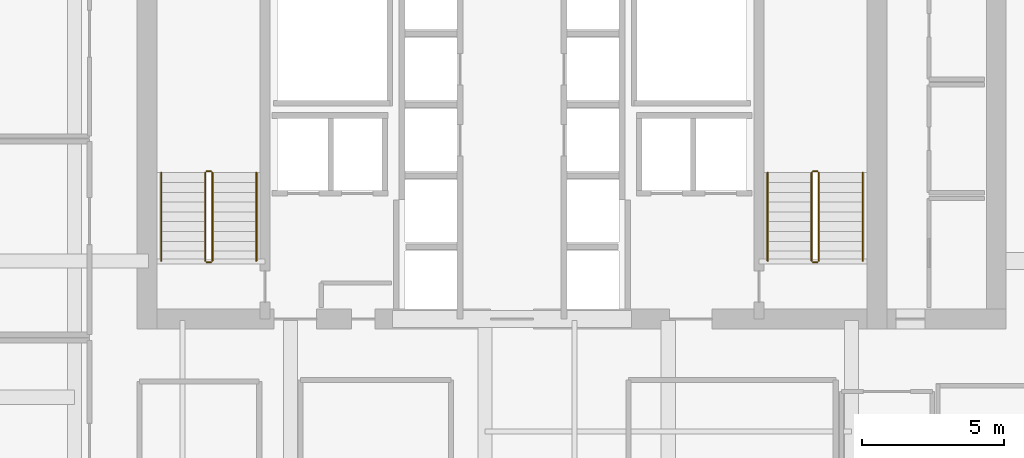
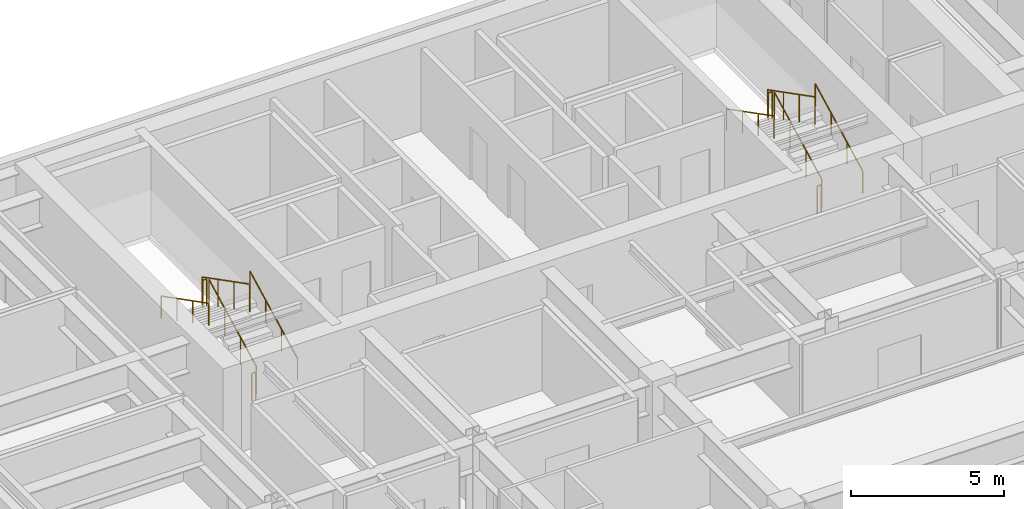
# One storey, part 15 of 15: 12 railings.
"""IFC4 building model written with IfcOpenShell, lengths in metres."""

from ifc_helpers import new_model, si_unit, direction, frame, origin, origin_2d, place, context, subcontext, project, spatial, circle, extrude, material, type_object, element, save


model = new_model("IFC4")

# Units and contexts
model_context = context("Model", 3, precision=1e-05, world=origin(), true_north=direction((0.0, 1.0)))
body_context = subcontext(model_context, "Body", "Model", "MODEL_VIEW")
ifc_project = project(units=[si_unit("LENGTHUNIT", "METRE"), si_unit("AREAUNIT", "SQUARE_METRE"), si_unit("VOLUMEUNIT", "CUBIC_METRE"), si_unit("PLANEANGLEUNIT", "RADIAN"), si_unit("MASSUNIT", "GRAM", prefix="KILO")], contexts=[model_context])

# Site, building, storey
site_placement = place(None, origin())
site = spatial("IfcSite", under=ifc_project, at=site_placement, CompositionType="ELEMENT")
building_placement = place(site_placement, origin())
building = spatial("IfcBuilding", under=site, at=building_placement, Name="Tolvann Quenvar Hotel", CompositionType="ELEMENT")
storey_placement = place(building_placement, frame((0.0, 0.0, 143.5)))
storey = spatial("IfcBuildingStorey", under=building, at=storey_placement, Name="L37", CompositionType="ELEMENT", Elevation=143.5)

# Railings
ifc_material = material(Name="Brushed 316 stainless steel balustrade and handrail", Category="steel")
railing_type_1 = type_object("IfcRailingType", Name="GUARDRAIL", PredefinedType="GUARDRAIL", material=ifc_material)
railing_1_placement = place(storey_placement, frame((12.449951171875, 34.0, 0.177490234375)))
element("IfcRailing", 1, at=railing_1_placement, inside=storey, type_object=railing_type_1, Name="L37 ST-C1 stair guard 1", PredefinedType="GUARDRAIL", context=body_context, shape_type="SweptSolid", body=[
    extrude(circle(Radius=0.02392578125, at=origin_2d()), frame((0.0, 0.0, 1.09619140625), z_axis=(0.0, 0.889221982265, 0.45747597342), x_axis=(-1.0, 0.0, 0.0)), (0.0, 0.0, 1.0), 3.49169921875),
    extrude(circle(Radius=0.02099609375, at=origin_2d()), origin(), (0.0, 0.0, 1.0), 1.072021484375),
    extrude(circle(Radius=0.02099609375, at=origin_2d()), frame((0.0, 1.034912109375, 0.532470703125)), (0.0, 0.0, 1.0), 1.072021484375),
    extrude(circle(Radius=0.02099609375, at=origin_2d()), frame((0.0, 2.070068359375, 1.06494140625)), (0.0, 0.0, 1.0), 1.072021484375),
    extrude(circle(Radius=0.02099609375, at=origin_2d()), frame((0.0, 3.10498046875, 1.597412109375)), (0.0, 0.0, 1.0), 1.072021484375),
])
railing_2_placement = place(storey_placement, frame((12.39990234375, 37.155029296875, 1.77490234375)))
element("IfcRailing", 2, at=railing_2_placement, inside=storey, type_object=railing_type_1, Name="L37 ST-C1 stair guard 2", PredefinedType="GUARDRAIL", context=body_context, shape_type="SweptSolid", body=[
    extrude(circle(Radius=0.02392578125, at=origin_2d()), frame((0.0, 0.0, 1.09619140625), z_axis=(-1.0, 0.0, 0.0), x_axis=(0.0, -1.0, 0.0)), (0.0, 0.0, 1.0), 0.14990234375),
    extrude(circle(Radius=0.02099609375, at=origin_2d()), origin(), (0.0, 0.0, 1.0), 1.072021484375),
    extrude(circle(Radius=0.02099609375, at=origin_2d()), frame((-0.14990234375, 0.0, 0.0)), (0.0, 0.0, 1.0), 1.072021484375),
])
railing_3_placement = place(storey_placement, frame((12.199951171875, 37.10498046875, 1.952392578125)))
element("IfcRailing", 3, at=railing_3_placement, inside=storey, type_object=railing_type_1, Name="L37 ST-C1 stair guard 3", PredefinedType="GUARDRAIL", context=body_context, shape_type="SweptSolid", body=[
    extrude(circle(Radius=0.02392578125, at=origin_2d()), frame((0.0, 0.0, 1.09619140625), z_axis=(0.0, -0.88919353882, 0.457531256332), x_axis=(1.0, 0.0, 0.0)), (0.0, 0.0, 1.0), 3.491943359375),
    extrude(circle(Radius=0.02099609375, at=origin_2d()), origin(), (0.0, 0.0, 1.0), 1.072021484375),
    extrude(circle(Radius=0.02099609375, at=origin_2d()), frame((0.0, -1.034912109375, 0.532470703125)), (0.0, 0.0, 1.0), 1.072021484375),
    extrude(circle(Radius=0.02099609375, at=origin_2d()), frame((0.0, -2.070068359375, 1.065185546875)), (0.0, 0.0, 1.0), 1.072021484375),
    extrude(circle(Radius=0.02099609375, at=origin_2d()), frame((0.0, -3.10498046875, 1.59765625)), (0.0, 0.0, 1.0), 1.072021484375),
])
railing_4_placement = place(storey_placement, frame((12.39990234375, 33.949951171875, 0.0)))
element("IfcRailing", 4, at=railing_4_placement, inside=storey, type_object=railing_type_1, Name="L37 ST-C1 stair guard 4", PredefinedType="GUARDRAIL", context=body_context, shape_type="SweptSolid", body=[
    extrude(circle(Radius=0.02392578125, at=origin_2d()), frame((0.0, 0.0, 1.09619140625), z_axis=(-1.0, 0.0, 0.0), x_axis=(0.0, -1.0, 0.0)), (0.0, 0.0, 1.0), 0.14990234375),
    extrude(circle(Radius=0.02099609375, at=origin_2d()), origin(), (0.0, 0.0, 1.0), 1.072021484375),
    extrude(circle(Radius=0.02099609375, at=origin_2d()), frame((-0.14990234375, 0.0, 0.0)), (0.0, 0.0, 1.0), 1.072021484375),
])
railing_5_placement = place(storey_placement, frame((33.800048828125, 34.0, 0.177490234375)))
element("IfcRailing", 5, at=railing_5_placement, inside=storey, type_object=railing_type_1, Name="L37 ST-C2 stair guard 1", PredefinedType="GUARDRAIL", context=body_context, shape_type="SweptSolid", body=[
    extrude(circle(Radius=0.02392578125, at=origin_2d()), frame((0.0, 0.0, 1.09619140625), z_axis=(0.0, 0.889221982265, 0.45747597342), x_axis=(-1.0, 0.0, 0.0)), (0.0, 0.0, 1.0), 3.49169921875),
    extrude(circle(Radius=0.02099609375, at=origin_2d()), origin(), (0.0, 0.0, 1.0), 1.072021484375),
    extrude(circle(Radius=0.02099609375, at=origin_2d()), frame((0.0, 1.034912109375, 0.532470703125)), (0.0, 0.0, 1.0), 1.072021484375),
    extrude(circle(Radius=0.02099609375, at=origin_2d()), frame((0.0, 2.070068359375, 1.06494140625)), (0.0, 0.0, 1.0), 1.072021484375),
    extrude(circle(Radius=0.02099609375, at=origin_2d()), frame((0.0, 3.10498046875, 1.597412109375)), (0.0, 0.0, 1.0), 1.072021484375),
])
railing_6_placement = place(storey_placement, frame((33.75, 37.155029296875, 1.77490234375)))
element("IfcRailing", 6, at=railing_6_placement, inside=storey, type_object=railing_type_1, Name="L37 ST-C2 stair guard 2", PredefinedType="GUARDRAIL", context=body_context, shape_type="SweptSolid", body=[
    extrude(circle(Radius=0.02392578125, at=origin_2d()), frame((0.0, 0.0, 1.09619140625), z_axis=(-1.0, 0.0, 0.0), x_axis=(0.0, -1.0, 0.0)), (0.0, 0.0, 1.0), 0.14990234375),
    extrude(circle(Radius=0.02099609375, at=origin_2d()), origin(), (0.0, 0.0, 1.0), 1.072021484375),
    extrude(circle(Radius=0.02099609375, at=origin_2d()), frame((-0.14990234375, 0.0, 0.0)), (0.0, 0.0, 1.0), 1.072021484375),
])
railing_7_placement = place(storey_placement, frame((33.550048828125, 37.10498046875, 1.952392578125)))
element("IfcRailing", 7, at=railing_7_placement, inside=storey, type_object=railing_type_1, Name="L37 ST-C2 stair guard 3", PredefinedType="GUARDRAIL", context=body_context, shape_type="SweptSolid", body=[
    extrude(circle(Radius=0.02392578125, at=origin_2d()), frame((0.0, 0.0, 1.09619140625), z_axis=(0.0, -0.88919353882, 0.457531256332), x_axis=(1.0, 0.0, 0.0)), (0.0, 0.0, 1.0), 3.491943359375),
    extrude(circle(Radius=0.02099609375, at=origin_2d()), origin(), (0.0, 0.0, 1.0), 1.072021484375),
    extrude(circle(Radius=0.02099609375, at=origin_2d()), frame((0.0, -1.034912109375, 0.532470703125)), (0.0, 0.0, 1.0), 1.072021484375),
    extrude(circle(Radius=0.02099609375, at=origin_2d()), frame((0.0, -2.070068359375, 1.065185546875)), (0.0, 0.0, 1.0), 1.072021484375),
    extrude(circle(Radius=0.02099609375, at=origin_2d()), frame((0.0, -3.10498046875, 1.59765625)), (0.0, 0.0, 1.0), 1.072021484375),
])
railing_8_placement = place(storey_placement, frame((33.75, 33.949951171875, 0.0)))
element("IfcRailing", 8, at=railing_8_placement, inside=storey, type_object=railing_type_1, Name="L37 ST-C2 stair guard 4", PredefinedType="GUARDRAIL", context=body_context, shape_type="SweptSolid", body=[
    extrude(circle(Radius=0.02392578125, at=origin_2d()), frame((0.0, 0.0, 1.09619140625), z_axis=(-1.0, 0.0, 0.0), x_axis=(0.0, -1.0, 0.0)), (0.0, 0.0, 1.0), 0.14990234375),
    extrude(circle(Radius=0.02099609375, at=origin_2d()), origin(), (0.0, 0.0, 1.0), 1.072021484375),
    extrude(circle(Radius=0.02099609375, at=origin_2d()), frame((-0.14990234375, 0.0, 0.0)), (0.0, 0.0, 1.0), 1.072021484375),
])
railing_type_2 = type_object("IfcRailingType", Name="HANDRAIL", PredefinedType="HANDRAIL", material=ifc_material)
railing_9_placement = place(storey_placement, frame((14.0, 34.0, 0.177490234375)))
element("IfcRailing", 9, at=railing_9_placement, inside=storey, type_object=railing_type_2, Name="L37 ST-C1 stair handrail 1", PredefinedType="HANDRAIL", context=body_context, shape_type="SweptSolid", body=[
    extrude(circle(Radius=0.02392578125, at=origin_2d()), frame((0.0, 0.0, 0.8759765625), z_axis=(0.0, 0.889221982265, 0.45747597342), x_axis=(-1.0, 0.0, 0.0)), (0.0, 0.0, 1.0), 3.49169921875),
    extrude(circle(Radius=0.02099609375, at=origin_2d()), origin(), (0.0, 0.0, 1.0), 0.851806640625),
    extrude(circle(Radius=0.02099609375, at=origin_2d()), frame((0.0, 1.034912109375, 0.532470703125)), (0.0, 0.0, 1.0), 0.851806640625),
    extrude(circle(Radius=0.02099609375, at=origin_2d()), frame((0.0, 2.070068359375, 1.06494140625)), (0.0, 0.0, 1.0), 0.851806640625),
    extrude(circle(Radius=0.02099609375, at=origin_2d()), frame((0.0, 3.10498046875, 1.597412109375)), (0.0, 0.0, 1.0), 0.851806640625),
])
railing_10_placement = place(storey_placement, frame((10.64990234375, 37.10498046875, 1.952392578125)))
element("IfcRailing", 10, at=railing_10_placement, inside=storey, type_object=railing_type_2, Name="L37 ST-C1 stair handrail 2", PredefinedType="HANDRAIL", context=body_context, shape_type="SweptSolid", body=[
    extrude(circle(Radius=0.02392578125, at=origin_2d()), frame((0.0, 0.0, 0.8759765625), z_axis=(0.0, -0.88919353882, 0.457531256332), x_axis=(1.0, 0.0, 0.0)), (0.0, 0.0, 1.0), 3.491943359375),
    extrude(circle(Radius=0.02099609375, at=origin_2d()), origin(), (0.0, 0.0, 1.0), 0.851806640625),
    extrude(circle(Radius=0.02099609375, at=origin_2d()), frame((0.0, -1.034912109375, 0.532470703125)), (0.0, 0.0, 1.0), 0.851806640625),
    extrude(circle(Radius=0.02099609375, at=origin_2d()), frame((0.0, -2.070068359375, 1.065185546875)), (0.0, 0.0, 1.0), 0.851806640625),
    extrude(circle(Radius=0.02099609375, at=origin_2d()), frame((0.0, -3.10498046875, 1.59765625)), (0.0, 0.0, 1.0), 0.851806640625),
])
railing_11_placement = place(storey_placement, frame((35.35009765625, 34.0, 0.177490234375)))
element("IfcRailing", 11, at=railing_11_placement, inside=storey, type_object=railing_type_2, Name="L37 ST-C2 stair handrail 1", PredefinedType="HANDRAIL", context=body_context, shape_type="SweptSolid", body=[
    extrude(circle(Radius=0.02392578125, at=origin_2d()), frame((0.0, 0.0, 0.8759765625), z_axis=(0.0, 0.889221982265, 0.45747597342), x_axis=(-1.0, 0.0, 0.0)), (0.0, 0.0, 1.0), 3.49169921875),
    extrude(circle(Radius=0.02099609375, at=origin_2d()), origin(), (0.0, 0.0, 1.0), 0.851806640625),
    extrude(circle(Radius=0.02099609375, at=origin_2d()), frame((0.0, 1.034912109375, 0.532470703125)), (0.0, 0.0, 1.0), 0.851806640625),
    extrude(circle(Radius=0.02099609375, at=origin_2d()), frame((0.0, 2.070068359375, 1.06494140625)), (0.0, 0.0, 1.0), 0.851806640625),
    extrude(circle(Radius=0.02099609375, at=origin_2d()), frame((0.0, 3.10498046875, 1.597412109375)), (0.0, 0.0, 1.0), 0.851806640625),
])
railing_12_placement = place(storey_placement, frame((32.0, 37.10498046875, 1.952392578125)))
element("IfcRailing", 12, at=railing_12_placement, inside=storey, type_object=railing_type_2, Name="L37 ST-C2 stair handrail 2", PredefinedType="HANDRAIL", context=body_context, shape_type="SweptSolid", body=[
    extrude(circle(Radius=0.02392578125, at=origin_2d()), frame((0.0, 0.0, 0.8759765625), z_axis=(0.0, -0.88919353882, 0.457531256332), x_axis=(1.0, 0.0, 0.0)), (0.0, 0.0, 1.0), 3.491943359375),
    extrude(circle(Radius=0.02099609375, at=origin_2d()), origin(), (0.0, 0.0, 1.0), 0.851806640625),
    extrude(circle(Radius=0.02099609375, at=origin_2d()), frame((0.0, -1.034912109375, 0.532470703125)), (0.0, 0.0, 1.0), 0.851806640625),
    extrude(circle(Radius=0.02099609375, at=origin_2d()), frame((0.0, -2.070068359375, 1.065185546875)), (0.0, 0.0, 1.0), 0.851806640625),
    extrude(circle(Radius=0.02099609375, at=origin_2d()), frame((0.0, -3.10498046875, 1.59765625)), (0.0, 0.0, 1.0), 0.851806640625),
])

save(model, "model.ifc")
